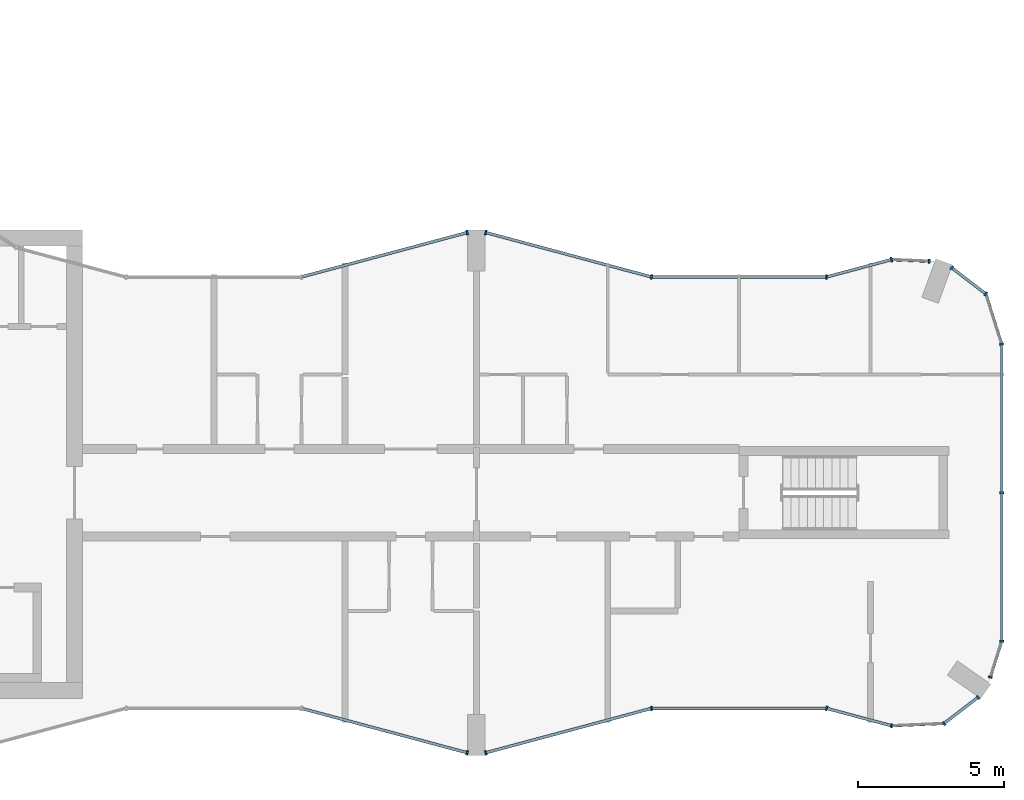
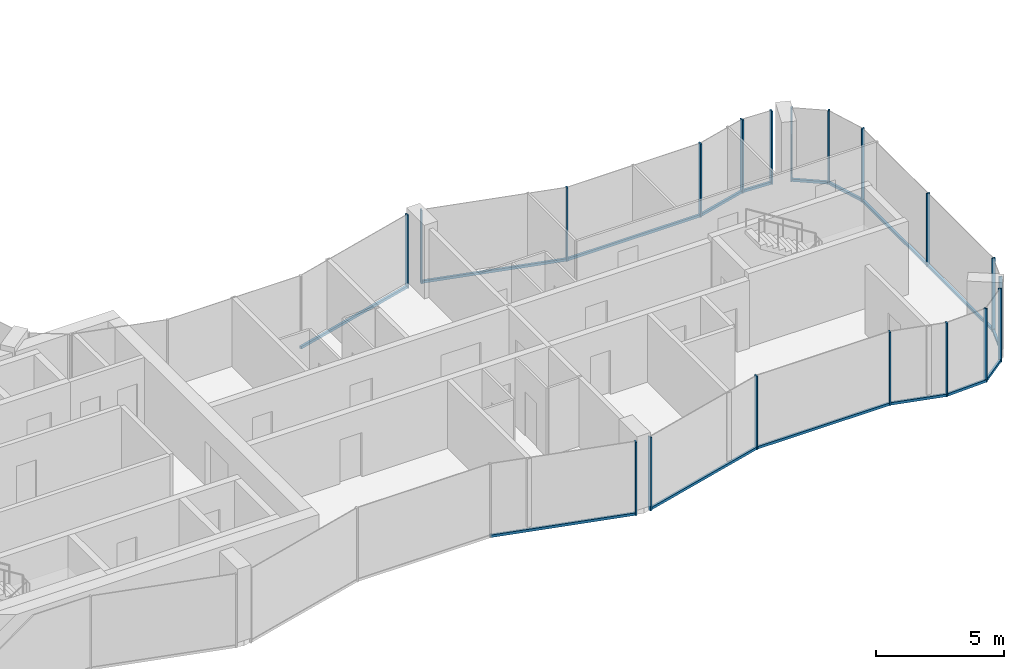
# One storey, part 6 of 15: 34 members, 15 elements without a shape of their own.
"""IFC4 building model written with IfcOpenShell, lengths in metres."""

from ifc_helpers import new_model, si_unit, direction, frame, origin, origin_2d, place, context, subcontext, project, spatial, rectangle, extrude, material, layer, layer_set, material_profile, profile_set, type_object, element, aggregate, save


model = new_model("IFC4")

# Units and contexts
model_context = context("Model", 3, precision=1e-05, world=origin(), true_north=direction((0.0, 1.0)))
body_context = subcontext(model_context, "Body", "Model", "MODEL_VIEW")
ifc_project = project(units=[si_unit("LENGTHUNIT", "METRE"), si_unit("AREAUNIT", "SQUARE_METRE"), si_unit("VOLUMEUNIT", "CUBIC_METRE"), si_unit("PLANEANGLEUNIT", "RADIAN"), si_unit("MASSUNIT", "GRAM", prefix="KILO")], contexts=[model_context])

# Site, building, storey
site_placement = place(None, origin())
site = spatial("IfcSite", under=ifc_project, at=site_placement, CompositionType="ELEMENT")
building_placement = place(site_placement, origin())
building = spatial("IfcBuilding", under=site, at=building_placement, Name="Plateau Cross Towers", CompositionType="ELEMENT")
storey_placement = place(building_placement, frame((0.0, 0.0, 177.89990234375)))
storey = spatial("IfcBuildingStorey", under=building, at=storey_placement, Name="L46", CompositionType="ELEMENT", Elevation=177.89990234375)

# Curtain wall, member
ifc_material_1 = material(Name="Dark low-iron glass", Category="glass")
ifc_layer_1 = layer(ifc_material_1, 0.239990234375)
ifc_layer_set_1 = layer_set([ifc_layer_1], Name="Dark low-iron glass")
curtain_wall_type_1 = type_object("IfcCurtainWallType", Name="Curtain wall flush unitised CW-B", PredefinedType="NOTDEFINED", material=ifc_layer_set_1)
curtain_wall_1_placement = place(storey_placement, origin())
curtain_wall_1 = element("IfcCurtainWall", 1, at=curtain_wall_1_placement, inside=storey, type_object=curtain_wall_type_1, Name="ENV/A/L46/A502_10", PredefinedType="NOTDEFINED")
ifc_material_2 = material(Name="Black anodised aluminium", Category="aluminium")
ifc_material_profile_1 = material_profile(ifc_material_2, rectangle(XDim=0.06005859375, YDim=0.139892578125, at=origin_2d()), Name="MULLION 60x140")
ifc_profile_set_1 = profile_set([ifc_material_profile_1], Name="Black anodised aluminium")
member_type_1 = type_object("IfcMemberType", Name="Mullion 60x140 flush unitised", PredefinedType="MULLION", material=ifc_profile_set_1)
member_1_placement = place(storey_placement, frame((50.223876953125, 1.01123046875, -0.25), z_axis=(0.0, 0.0, 1.0), x_axis=(0.999043701491, 0.043722791671, 0.0)))
member_1 = element("IfcMember", 2, at=member_1_placement, type_object=member_type_1, Name="CW-B mullion 1", PredefinedType="MULLION", context=body_context, shape_type="SweptSolid", body=[
    extrude(rectangle(XDim=0.06005859375, YDim=0.139892578125, at=origin_2d()), origin(), (0.0, 0.0, 1.0), 3.5),
])

# Curtain wall, members
curtain_wall_2_placement = place(storey_placement, origin())
curtain_wall_2 = element("IfcCurtainWall", 3, at=curtain_wall_2_placement, inside=storey, type_object=curtain_wall_type_1, Name="ENV/A/L46/A520_11", PredefinedType="NOTDEFINED")
member_2_placement = place(storey_placement, frame((52.0263671875, 1.090087890625, -0.25), z_axis=(0.0, 0.0, 1.0), x_axis=(0.793315514529, 0.608810721331, 0.0)))
member_2 = element("IfcMember", 4, at=member_2_placement, type_object=member_type_1, Name="CW-B mullion 1", PredefinedType="MULLION", context=body_context, shape_type="SweptSolid", body=[
    extrude(rectangle(XDim=0.06005859375, YDim=0.139892578125, at=origin_2d()), origin(), (0.0, 0.0, 1.0), 3.5),
])
member_3_placement = place(storey_placement, frame((53.193603515625, 1.986083984375, -0.25), z_axis=(0.0, 0.0, 1.0), x_axis=(0.793315514529, 0.608810721331, 0.0)))
member_3 = element("IfcMember", 5, at=member_3_placement, type_object=member_type_1, Name="CW-B mullion 2", PredefinedType="MULLION", context=body_context, shape_type="SweptSolid", body=[
    extrude(rectangle(XDim=0.06005859375, YDim=0.139892578125, at=origin_2d()), origin(), (0.0, 0.0, 1.0), 3.5),
])

# Curtain wall, member
curtain_wall_3_placement = place(storey_placement, origin())
curtain_wall_3 = element("IfcCurtainWall", 6, at=curtain_wall_3_placement, inside=storey, type_object=curtain_wall_type_1, Name="ENV/A/L46/A536_27", PredefinedType="NOTDEFINED")
member_4_placement = place(storey_placement, frame((53.611083984375, 2.67529296875, -0.25), z_axis=(0.0, 0.0, 1.0), x_axis=(0.300686174994, 0.95372313811, 0.0)))
member_4 = element("IfcMember", 7, at=member_4_placement, type_object=member_type_1, Name="CW-B mullion 1", PredefinedType="MULLION", context=body_context, shape_type="SweptSolid", body=[
    extrude(rectangle(XDim=0.06005859375, YDim=0.139892578125, at=origin_2d()), origin(), (0.0, 0.0, 1.0), 3.5),
])

# Curtain wall, members
curtain_wall_4_placement = place(storey_placement, origin())
curtain_wall_4 = element("IfcCurtainWall", 8, at=curtain_wall_4_placement, inside=storey, type_object=curtain_wall_type_1, Name="ENV/A/L46/A540_39", PredefinedType="NOTDEFINED")
member_5_placement = place(storey_placement, frame((54.0, 3.9091796875, -0.25), z_axis=(0.0, 0.0, 1.0), x_axis=(0.0, 1.0, 0.0)))
member_5 = element("IfcMember", 9, at=member_5_placement, type_object=member_type_1, Name="CW-B mullion 1", PredefinedType="MULLION", context=body_context, shape_type="SweptSolid", body=[
    extrude(rectangle(XDim=0.06005859375, YDim=0.139892578125, at=origin_2d()), origin(), (0.0, 0.0, 1.0), 3.5),
])
member_6_placement = place(storey_placement, frame((54.0, 9.0, -0.25), z_axis=(0.0, 0.0, 1.0), x_axis=(0.0, 1.0, 0.0)))
member_6 = element("IfcMember", 10, at=member_6_placement, type_object=member_type_1, Name="CW-B mullion 2", PredefinedType="MULLION", context=body_context, shape_type="SweptSolid", body=[
    extrude(rectangle(XDim=0.06005859375, YDim=0.139892578125, at=origin_2d()), origin(), (0.0, 0.0, 1.0), 3.5),
])

# Curtain wall, member
curtain_wall_5_placement = place(storey_placement, origin())
curtain_wall_5 = element("IfcCurtainWall", 11, at=curtain_wall_5_placement, inside=storey, type_object=curtain_wall_type_1, Name="ENV/A/L46/A540_141", PredefinedType="NOTDEFINED")
member_7_placement = place(storey_placement, frame((54.0, 14.0908203125, -0.25), z_axis=(0.0, 0.0, 1.0), x_axis=(-0.300686174994, 0.95372313811, 0.0)))
member_7 = element("IfcMember", 12, at=member_7_placement, type_object=member_type_1, Name="CW-B mullion 1", PredefinedType="MULLION", context=body_context, shape_type="SweptSolid", body=[
    extrude(rectangle(XDim=0.06005859375, YDim=0.139892578125, at=origin_2d()), origin(), (0.0, 0.0, 1.0), 3.5),
])

# Curtain wall, members
curtain_wall_6_placement = place(storey_placement, origin())
curtain_wall_6 = element("IfcCurtainWall", 13, at=curtain_wall_6_placement, inside=storey, type_object=curtain_wall_type_1, Name="ENV/A/L46/A535_158", PredefinedType="NOTDEFINED")
member_8_placement = place(storey_placement, frame((53.45751953125, 15.8115234375, -0.25), z_axis=(0.0, 0.0, 1.0), x_axis=(-0.793315514529, 0.608810721331, 0.0)))
member_8 = element("IfcMember", 14, at=member_8_placement, type_object=member_type_1, Name="CW-B mullion 1", PredefinedType="MULLION", context=body_context, shape_type="SweptSolid", body=[
    extrude(rectangle(XDim=0.06005859375, YDim=0.139892578125, at=origin_2d()), origin(), (0.0, 0.0, 1.0), 3.5),
])
member_9_placement = place(storey_placement, frame((52.290283203125, 16.707275390625, -0.25), z_axis=(0.0, 0.0, 1.0), x_axis=(-0.793315514529, 0.608810721331, 0.0)))
member_9 = element("IfcMember", 15, at=member_9_placement, type_object=member_type_1, Name="CW-B mullion 2", PredefinedType="MULLION", context=body_context, shape_type="SweptSolid", body=[
    extrude(rectangle(XDim=0.06005859375, YDim=0.139892578125, at=origin_2d()), origin(), (0.0, 0.0, 1.0), 3.5),
])

# Curtain wall, member
curtain_wall_7_placement = place(storey_placement, origin())
curtain_wall_7 = element("IfcCurtainWall", 16, at=curtain_wall_7_placement, inside=storey, type_object=curtain_wall_type_1, Name="ENV/A/L46/A515_169", PredefinedType="NOTDEFINED")
member_10_placement = place(storey_placement, frame((51.516357421875, 16.93212890625, -0.25), z_axis=(0.0, 0.0, 1.0), x_axis=(-0.999043701491, 0.043722791671, 0.0)))
member_10 = element("IfcMember", 17, at=member_10_placement, type_object=member_type_1, Name="CW-B mullion 1", PredefinedType="MULLION", context=body_context, shape_type="SweptSolid", body=[
    extrude(rectangle(XDim=0.06005859375, YDim=0.139892578125, at=origin_2d()), origin(), (0.0, 0.0, 1.0), 3.5),
])

ifc_layer_2 = layer(ifc_material_1, 0.260009765625)
ifc_layer_set_2 = layer_set([ifc_layer_2], Name="Dark low-iron glass")
curtain_wall_type_2 = type_object("IfcCurtainWallType", Name="Curtain wall fluted unitised CW-A", PredefinedType="NOTDEFINED", material=ifc_layer_set_2)
curtain_wall_8_placement = place(storey_placement, origin())
curtain_wall_8 = element("IfcCurtainWall", 18, at=curtain_wall_8_placement, inside=storey, type_object=curtain_wall_type_2, Name="ENV/A/L46/A300_16", PredefinedType="NOTDEFINED")
ifc_material_profile_2 = material_profile(ifc_material_2, rectangle(XDim=0.06005859375, YDim=0.159912109375, at=origin_2d()), Name="MULLION 60x160")
ifc_profile_set_2 = profile_set([ifc_material_profile_2], Name="Black anodised aluminium")
member_type_2 = type_object("IfcMemberType", Name="Mullion 60x160 fluted unitised", PredefinedType="MULLION", material=ifc_profile_set_2)
member_11_placement = place(storey_placement, frame((35.68212890625, 0.085205078125, -0.25), z_axis=(0.0, 0.0, 1.0), x_axis=(0.965957983404, -0.258699003279, 0.0)))
member_11 = element("IfcMember", 19, at=member_11_placement, type_object=member_type_2, Name="CW-A mullion 2", PredefinedType="MULLION", context=body_context, shape_type="SweptSolid", body=[
    extrude(rectangle(XDim=0.06005859375, YDim=0.159912109375, at=origin_2d()), origin(), (0.0, 0.0, 1.0), 3.5),
])

curtain_wall_9_placement = place(storey_placement, origin())
curtain_wall_9 = element("IfcCurtainWall", 20, at=curtain_wall_9_placement, inside=storey, type_object=curtain_wall_type_2, Name="ENV/A/L46/A363_1", PredefinedType="NOTDEFINED")
member_12_placement = place(storey_placement, frame((36.31787109375, 0.085205078125, -0.25), z_axis=(0.0, 0.0, 1.0), x_axis=(0.965957983404, 0.258699003279, 0.0)))
member_12 = element("IfcMember", 21, at=member_12_placement, type_object=member_type_2, Name="CW-A mullion 1", PredefinedType="MULLION", context=body_context, shape_type="SweptSolid", body=[
    extrude(rectangle(XDim=0.06005859375, YDim=0.159912109375, at=origin_2d()), origin(), (0.0, 0.0, 1.0), 3.5),
])

curtain_wall_10_placement = place(storey_placement, origin())
curtain_wall_10 = element("IfcCurtainWall", 22, at=curtain_wall_10_placement, inside=storey, type_object=curtain_wall_type_2, Name="ENV/A/L46/A420_16", PredefinedType="NOTDEFINED")
member_13_placement = place(storey_placement, frame((42.0, 1.60693359375, -0.25), z_axis=(0.0, 0.0, 1.0), x_axis=(1.0, 0.0, 0.0)))
member_13 = element("IfcMember", 23, at=member_13_placement, type_object=member_type_2, Name="CW-A mullion 1", PredefinedType="MULLION", context=body_context, shape_type="SweptSolid", body=[
    extrude(rectangle(XDim=0.06005859375, YDim=0.159912109375, at=origin_2d()), origin(), (0.0, 0.0, 1.0), 3.5),
])

curtain_wall_11_placement = place(storey_placement, origin())
curtain_wall_11 = element("IfcCurtainWall", 24, at=curtain_wall_11_placement, inside=storey, type_object=curtain_wall_type_2, Name="ENV/A/L46/A480_16", PredefinedType="NOTDEFINED")
member_14_placement = place(storey_placement, frame((48.0, 1.60693359375, -0.25), z_axis=(0.0, 0.0, 1.0), x_axis=(0.965957962328, -0.258699081978, 0.0)))
member_14 = element("IfcMember", 25, at=member_14_placement, type_object=member_type_2, Name="CW-A mullion 1", PredefinedType="MULLION", context=body_context, shape_type="SweptSolid", body=[
    extrude(rectangle(XDim=0.06005859375, YDim=0.159912109375, at=origin_2d()), origin(), (0.0, 0.0, 1.0), 3.5),
])

curtain_wall_12_placement = place(storey_placement, origin())
curtain_wall_12 = element("IfcCurtainWall", 26, at=curtain_wall_12_placement, inside=storey, type_object=curtain_wall_type_2, Name="ENV/A/L46/A502_170", PredefinedType="NOTDEFINED")
member_15_placement = place(storey_placement, frame((50.223876953125, 16.98876953125, -0.25), z_axis=(0.0, 0.0, 1.0), x_axis=(-0.965957962328, -0.258699081978, 0.0)))
member_15 = element("IfcMember", 27, at=member_15_placement, type_object=member_type_2, Name="CW-A mullion 1", PredefinedType="MULLION", context=body_context, shape_type="SweptSolid", body=[
    extrude(rectangle(XDim=0.06005859375, YDim=0.159912109375, at=origin_2d()), origin(), (0.0, 0.0, 1.0), 3.5),
])

curtain_wall_13_placement = place(storey_placement, origin())
curtain_wall_13 = element("IfcCurtainWall", 28, at=curtain_wall_13_placement, inside=storey, type_object=curtain_wall_type_2, Name="ENV/A/L46/A480_164", PredefinedType="NOTDEFINED")
member_16_placement = place(storey_placement, frame((48.0, 16.39306640625, -0.25), z_axis=(0.0, 0.0, 1.0), x_axis=(-1.0, 0.0, 0.0)))
member_16 = element("IfcMember", 29, at=member_16_placement, type_object=member_type_2, Name="CW-A mullion 1", PredefinedType="MULLION", context=body_context, shape_type="SweptSolid", body=[
    extrude(rectangle(XDim=0.06005859375, YDim=0.159912109375, at=origin_2d()), origin(), (0.0, 0.0, 1.0), 3.5),
])

# Curtain wall, members
curtain_wall_14_placement = place(storey_placement, origin())
curtain_wall_14 = element("IfcCurtainWall", 30, at=curtain_wall_14_placement, inside=storey, type_object=curtain_wall_type_2, Name="ENV/A/L46/A420_164", PredefinedType="NOTDEFINED")
member_17_placement = place(storey_placement, frame((42.0, 16.39306640625, -0.25), z_axis=(0.0, 0.0, 1.0), x_axis=(-0.965957983404, 0.258699003279, 0.0)))
member_17 = element("IfcMember", 31, at=member_17_placement, type_object=member_type_2, Name="CW-A mullion 1", PredefinedType="MULLION", context=body_context, shape_type="SweptSolid", body=[
    extrude(rectangle(XDim=0.06005859375, YDim=0.159912109375, at=origin_2d()), origin(), (0.0, 0.0, 1.0), 3.5),
])
member_18_placement = place(storey_placement, frame((36.31787109375, 17.914794921875, -0.25), z_axis=(0.0, 0.0, 1.0), x_axis=(-0.965957983404, 0.258699003279, 0.0)))
member_18 = element("IfcMember", 32, at=member_18_placement, type_object=member_type_2, Name="CW-A mullion 2", PredefinedType="MULLION", context=body_context, shape_type="SweptSolid", body=[
    extrude(rectangle(XDim=0.06005859375, YDim=0.159912109375, at=origin_2d()), origin(), (0.0, 0.0, 1.0), 3.5),
])

# Curtain wall, member
curtain_wall_15_placement = place(storey_placement, origin())
curtain_wall_15 = element("IfcCurtainWall", 33, at=curtain_wall_15_placement, inside=storey, type_object=curtain_wall_type_2, Name="ENV/A/L46/A357_179", PredefinedType="NOTDEFINED")
member_19_placement = place(storey_placement, frame((35.68212890625, 17.914794921875, -0.25), z_axis=(0.0, 0.0, 1.0), x_axis=(-0.965957983404, -0.258699003279, 0.0)))
member_19 = element("IfcMember", 34, at=member_19_placement, type_object=member_type_2, Name="CW-A mullion 1", PredefinedType="MULLION", context=body_context, shape_type="SweptSolid", body=[
    extrude(rectangle(XDim=0.06005859375, YDim=0.159912109375, at=origin_2d()), origin(), (0.0, 0.0, 1.0), 3.5),
])

# Member
ifc_material_profile_3 = material_profile(ifc_material_2, rectangle(XDim=0.10009765625, YDim=0.1201171875, at=origin_2d()), Name="TRANSOM 100x120")
ifc_profile_set_3 = profile_set([ifc_material_profile_3], Name="Black anodised aluminium")
member_type_3 = type_object("IfcMemberType", Name="Transom 100x120 flush unitised", PredefinedType="USERDEFINED", material=ifc_profile_set_3)
member_20_placement = place(storey_placement, frame((50.223876953125, 1.01123046875, -0.18994140625), z_axis=(0.999044377355, 0.043707345779, 0.0), x_axis=(-0.043707345779, 0.999044377355, 0.0)))
member_20 = element("IfcMember", 35, at=member_20_placement, type_object=member_type_3, Name="CW-B transom", ObjectType="TRANSOM", PredefinedType="USERDEFINED", context=body_context, shape_type="SweptSolid", body=[
    extrude(rectangle(XDim=0.10009765625, YDim=0.1201171875, at=origin_2d()), origin(), (0.0, 0.0, 1.0), 1.80419921875),
])

aggregate(curtain_wall_1, [member_1, member_20])

member_21_placement = place(storey_placement, frame((52.0263671875, 1.090087890625, -0.18994140625), z_axis=(0.793240368515, 0.608908628415, 0.0), x_axis=(-0.608908628415, 0.793240368515, 0.0)))
member_21 = element("IfcMember", 36, at=member_21_placement, type_object=member_type_3, Name="CW-B transom", ObjectType="TRANSOM", PredefinedType="USERDEFINED", context=body_context, shape_type="SweptSolid", body=[
    extrude(rectangle(XDim=0.10009765625, YDim=0.1201171875, at=origin_2d()), origin(), (0.0, 0.0, 1.0), 1.471435546875),
])

aggregate(curtain_wall_2, [member_2, member_3, member_21])

member_22_placement = place(storey_placement, frame((53.611083984375, 2.67529296875, -0.18994140625), z_axis=(0.300616528216, 0.953745093284, 0.0), x_axis=(-0.953745093284, 0.300616528216, 0.0)))
member_22 = element("IfcMember", 37, at=member_22_placement, type_object=member_type_3, Name="CW-B transom", ObjectType="TRANSOM", PredefinedType="USERDEFINED", context=body_context, shape_type="SweptSolid", body=[
    extrude(rectangle(XDim=0.10009765625, YDim=0.1201171875, at=origin_2d()), origin(), (0.0, 0.0, 1.0), 1.293701171875),
])

aggregate(curtain_wall_3, [member_4, member_22])

member_23_placement = place(storey_placement, frame((54.0, 3.9091796875, -0.18994140625), z_axis=(0.0, 1.0, 0.0), x_axis=(-1.0, 0.0, 0.0)))
member_23 = element("IfcMember", 38, at=member_23_placement, type_object=member_type_3, Name="CW-B transom", ObjectType="TRANSOM", PredefinedType="USERDEFINED", context=body_context, shape_type="SweptSolid", body=[
    extrude(rectangle(XDim=0.10009765625, YDim=0.1201171875, at=origin_2d()), origin(), (0.0, 0.0, 1.0), 10.181640625),
])

aggregate(curtain_wall_4, [member_5, member_6, member_23])

member_24_placement = place(storey_placement, frame((54.0, 14.0908203125, -0.18994140625), z_axis=(-0.30067799945, 0.953725715626, 0.0), x_axis=(-0.953725715626, -0.30067799945, 0.0)))
member_24 = element("IfcMember", 39, at=member_24_placement, type_object=member_type_3, Name="CW-B transom", ObjectType="TRANSOM", PredefinedType="USERDEFINED", context=body_context, shape_type="SweptSolid", body=[
    extrude(rectangle(XDim=0.10009765625, YDim=0.1201171875, at=origin_2d()), origin(), (0.0, 0.0, 1.0), 1.80419921875),
])

aggregate(curtain_wall_5, [member_7, member_24])

member_25_placement = place(storey_placement, frame((53.45751953125, 15.8115234375, -0.18994140625), z_axis=(-0.793320508571, 0.608804213751, 0.0), x_axis=(-0.608804213751, -0.793320508571, 0.0)))
member_25 = element("IfcMember", 40, at=member_25_placement, type_object=member_type_3, Name="CW-B transom", ObjectType="TRANSOM", PredefinedType="USERDEFINED", context=body_context, shape_type="SweptSolid", body=[
    extrude(rectangle(XDim=0.10009765625, YDim=0.1201171875, at=origin_2d()), origin(), (0.0, 0.0, 1.0), 1.471435546875),
])

aggregate(curtain_wall_6, [member_8, member_9, member_25])

member_26_placement = place(storey_placement, frame((51.516357421875, 16.93212890625, -0.18994140625), z_axis=(-0.999041144614, 0.043781175963, 0.0), x_axis=(-0.043781175963, -0.999041144614, 0.0)))
member_26 = element("IfcMember", 41, at=member_26_placement, type_object=member_type_3, Name="CW-B transom", ObjectType="TRANSOM", PredefinedType="USERDEFINED", context=body_context, shape_type="SweptSolid", body=[
    extrude(rectangle(XDim=0.10009765625, YDim=0.1201171875, at=origin_2d()), origin(), (0.0, 0.0, 1.0), 1.293701171875),
])

aggregate(curtain_wall_7, [member_10, member_26])

ifc_material_profile_4 = material_profile(ifc_material_2, rectangle(XDim=0.10009765625, YDim=0.1201171875, at=origin_2d()), Name="TRANSOM 100x120")
ifc_profile_set_4 = profile_set([ifc_material_profile_4], Name="Black anodised aluminium")
member_type_4 = type_object("IfcMemberType", Name="Transom 100x120 fluted unitised", PredefinedType="USERDEFINED", material=ifc_profile_set_4)
member_27_placement = place(storey_placement, frame((30.0, 1.60693359375, -0.18994140625), z_axis=(0.965959534794, -0.258693210465, 0.0), x_axis=(0.258693210465, 0.965959534794, 0.0)))
member_27 = element("IfcMember", 42, at=member_27_placement, type_object=member_type_4, Name="CW-A transom", ObjectType="TRANSOM", PredefinedType="USERDEFINED", context=body_context, shape_type="SweptSolid", body=[
    extrude(rectangle(XDim=0.10009765625, YDim=0.1201171875, at=origin_2d()), origin(), (0.0, 0.0, 1.0), 5.88232421875),
])

aggregate(curtain_wall_8, [member_11, member_27])

member_28_placement = place(storey_placement, frame((36.31787109375, 0.085205078125, -0.18994140625), z_axis=(0.965959534794, 0.258693210465, 0.0), x_axis=(-0.258693210465, 0.965959534794, 0.0)))
member_28 = element("IfcMember", 43, at=member_28_placement, type_object=member_type_4, Name="CW-A transom", ObjectType="TRANSOM", PredefinedType="USERDEFINED", context=body_context, shape_type="SweptSolid", body=[
    extrude(rectangle(XDim=0.10009765625, YDim=0.1201171875, at=origin_2d()), origin(), (0.0, 0.0, 1.0), 5.88232421875),
])

aggregate(curtain_wall_9, [member_12, member_28])

member_29_placement = place(storey_placement, frame((42.0, 1.60693359375, -0.18994140625), z_axis=(1.0, 0.0, 0.0), x_axis=(0.0, 1.0, 0.0)))
member_29 = element("IfcMember", 44, at=member_29_placement, type_object=member_type_4, Name="CW-A transom", ObjectType="TRANSOM", PredefinedType="USERDEFINED", context=body_context, shape_type="SweptSolid", body=[
    extrude(rectangle(XDim=0.10009765625, YDim=0.1201171875, at=origin_2d()), origin(), (0.0, 0.0, 1.0), 6.0),
])

aggregate(curtain_wall_10, [member_13, member_29])

member_30_placement = place(storey_placement, frame((48.0, 1.60693359375, -0.18994140625), z_axis=(0.965945685136, -0.258744919501, 0.0), x_axis=(0.258744919501, 0.965945685136, 0.0)))
member_30 = element("IfcMember", 45, at=member_30_placement, type_object=member_type_4, Name="CW-A transom", ObjectType="TRANSOM", PredefinedType="USERDEFINED", context=body_context, shape_type="SweptSolid", body=[
    extrude(rectangle(XDim=0.10009765625, YDim=0.1201171875, at=origin_2d()), origin(), (0.0, 0.0, 1.0), 2.30224609375),
])

aggregate(curtain_wall_11, [member_14, member_30])

member_31_placement = place(storey_placement, frame((50.223876953125, 16.98876953125, -0.18994140625), z_axis=(-0.965945685136, -0.258744919501, 0.0), x_axis=(0.258744919501, -0.965945685136, 0.0)))
member_31 = element("IfcMember", 46, at=member_31_placement, type_object=member_type_4, Name="CW-A transom", ObjectType="TRANSOM", PredefinedType="USERDEFINED", context=body_context, shape_type="SweptSolid", body=[
    extrude(rectangle(XDim=0.10009765625, YDim=0.1201171875, at=origin_2d()), origin(), (0.0, 0.0, 1.0), 2.30224609375),
])

aggregate(curtain_wall_12, [member_15, member_31])

member_32_placement = place(storey_placement, frame((48.0, 16.39306640625, -0.18994140625), z_axis=(-1.0, 0.0, 0.0), x_axis=(0.0, -1.0, 0.0)))
member_32 = element("IfcMember", 47, at=member_32_placement, type_object=member_type_4, Name="CW-A transom", ObjectType="TRANSOM", PredefinedType="USERDEFINED", context=body_context, shape_type="SweptSolid", body=[
    extrude(rectangle(XDim=0.10009765625, YDim=0.1201171875, at=origin_2d()), origin(), (0.0, 0.0, 1.0), 6.0),
])

aggregate(curtain_wall_13, [member_16, member_32])

member_33_placement = place(storey_placement, frame((42.0, 16.39306640625, -0.18994140625), z_axis=(-0.965959534794, 0.258693210465, 0.0), x_axis=(-0.258693210465, -0.965959534794, 0.0)))
member_33 = element("IfcMember", 48, at=member_33_placement, type_object=member_type_4, Name="CW-A transom", ObjectType="TRANSOM", PredefinedType="USERDEFINED", context=body_context, shape_type="SweptSolid", body=[
    extrude(rectangle(XDim=0.10009765625, YDim=0.1201171875, at=origin_2d()), origin(), (0.0, 0.0, 1.0), 5.88232421875),
])

aggregate(curtain_wall_14, [member_17, member_18, member_33])

member_34_placement = place(storey_placement, frame((35.68212890625, 17.914794921875, -0.18994140625), z_axis=(-0.965959534794, -0.258693210465, 0.0), x_axis=(0.258693210465, -0.965959534794, 0.0)))
member_34 = element("IfcMember", 49, at=member_34_placement, type_object=member_type_4, Name="CW-A transom", ObjectType="TRANSOM", PredefinedType="USERDEFINED", context=body_context, shape_type="SweptSolid", body=[
    extrude(rectangle(XDim=0.10009765625, YDim=0.1201171875, at=origin_2d()), origin(), (0.0, 0.0, 1.0), 5.88232421875),
])

aggregate(curtain_wall_15, [member_19, member_34])

save(model, "model.ifc")
